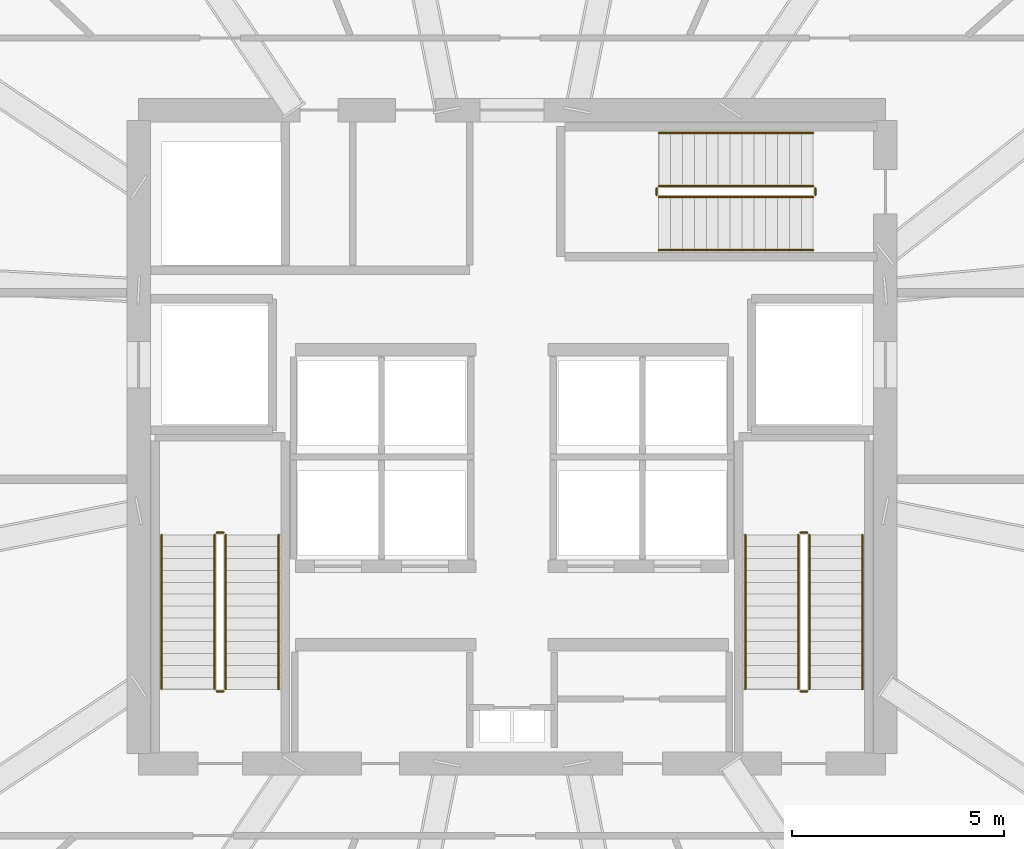
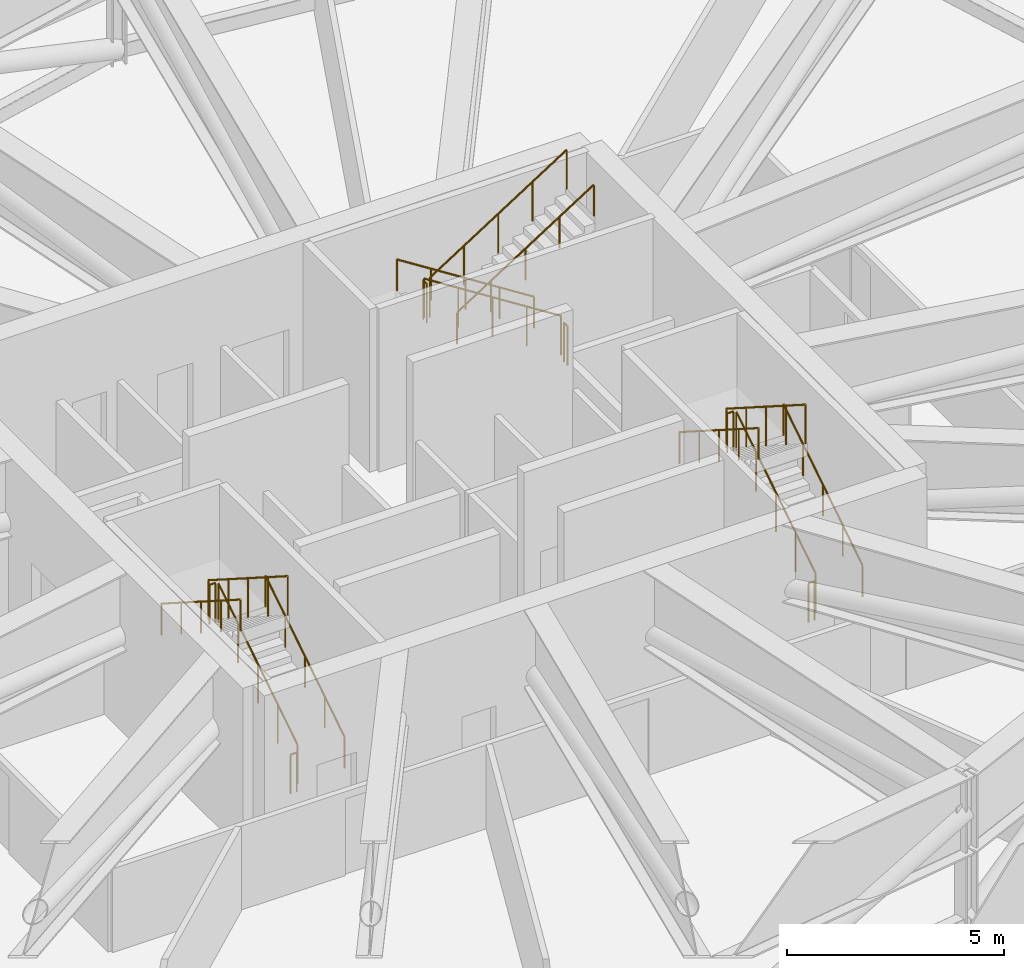
# One storey, part 30 of 30: 18 railings.
"""IFC4 building model written with IfcOpenShell, lengths in metres."""

from ifc_helpers import new_model, si_unit, direction, frame, origin, origin_2d, place, context, subcontext, project, spatial, circle, extrude, material, type_object, element, save


model = new_model("IFC4")

# Units and contexts
model_context = context("Model", 3, precision=1e-05, world=origin(), true_north=direction((0.0, 1.0)))
body_context = subcontext(model_context, "Body", "Model", "MODEL_VIEW")
ifc_project = project(units=[si_unit("LENGTHUNIT", "METRE"), si_unit("AREAUNIT", "SQUARE_METRE"), si_unit("VOLUMEUNIT", "CUBIC_METRE"), si_unit("PLANEANGLEUNIT", "RADIAN"), si_unit("MASSUNIT", "GRAM", prefix="KILO"), si_unit("THERMODYNAMICTEMPERATUREUNIT", "KELVIN")], contexts=[model_context])

# Site, building, storey
site_placement = place(None, origin())
site = spatial("IfcSite", under=ifc_project, at=site_placement, CompositionType="ELEMENT")
building_placement = place(site_placement, origin())
building = spatial("IfcBuilding", under=site, at=building_placement, Name="Kethvar Cultural Tower", CompositionType="ELEMENT")
storey_placement = place(building_placement, frame((0.0, 0.0, 171.39990234375)))
storey = spatial("IfcBuildingStorey", under=building, at=storey_placement, Name="L44", CompositionType="ELEMENT", Elevation=171.39990234375)

# Railings
ifc_material = material(Name="Steel S355J2", Category="steel")
railing_type_1 = type_object("IfcRailingType", Name="RL-STAIR-GUARD", PredefinedType="BALUSTRADE", material=ifc_material)
railing_1_placement = place(storey_placement, frame((40.050048828125, 21.85009765625, 0.1787109375)))
element("IfcRailing", 1, at=railing_1_placement, inside=storey, type_object=railing_type_1, Name="L44 ST-01 stair guard 1", PredefinedType="BALUSTRADE", context=body_context, shape_type="SweptSolid", body=[
    extrude(circle(Radius=0.02392578125, at=origin_2d()), frame((0.0, 0.0, 1.09619140625), z_axis=(0.0, 0.843137146238, 0.537698570422), x_axis=(-1.0, 0.0, 0.0)), (0.0, 0.0, 1.0), 4.317138671875),
    extrude(circle(Radius=0.02099609375, at=origin_2d()), origin(), (0.0, 0.0, 1.0), 1.072021484375),
    extrude(circle(Radius=0.02099609375, at=origin_2d()), frame((0.0, 0.909912109375, 0.580322265625)), (0.0, 0.0, 1.0), 1.072021484375),
    extrude(circle(Radius=0.02099609375, at=origin_2d()), frame((0.0, 1.81982421875, 1.16064453125)), (0.0, 0.0, 1.0), 1.072021484375),
    extrude(circle(Radius=0.02099609375, at=origin_2d()), frame((0.0, 2.72998046875, 1.740966796875)), (0.0, 0.0, 1.0), 1.072021484375),
    extrude(circle(Radius=0.02099609375, at=origin_2d()), frame((0.0, 3.639892578125, 2.3212890625)), (0.0, 0.0, 1.0), 1.072021484375),
])
railing_2_placement = place(storey_placement, frame((40.0, 25.5400390625, 2.5)))
element("IfcRailing", 2, at=railing_2_placement, inside=storey, type_object=railing_type_1, Name="L44 ST-01 stair guard 2", PredefinedType="BALUSTRADE", context=body_context, shape_type="SweptSolid", body=[
    extrude(circle(Radius=0.02392578125, at=origin_2d()), frame((0.0, 0.0, 1.09619140625), z_axis=(-1.0, 0.0, 0.0), x_axis=(0.0, -1.0, 0.0)), (0.0, 0.0, 1.0), 0.159912109375),
    extrude(circle(Radius=0.02099609375, at=origin_2d()), origin(), (0.0, 0.0, 1.0), 1.072021484375),
    extrude(circle(Radius=0.02099609375, at=origin_2d()), frame((-0.159912109375, 0.0, 0.0)), (0.0, 0.0, 1.0), 1.072021484375),
])
railing_3_placement = place(storey_placement, frame((39.7900390625, 25.489990234375, 2.6787109375)))
element("IfcRailing", 3, at=railing_3_placement, inside=storey, type_object=railing_type_1, Name="L44 ST-01 stair guard 3", PredefinedType="BALUSTRADE", context=body_context, shape_type="SweptSolid", body=[
    extrude(circle(Radius=0.02392578125, at=origin_2d()), frame((0.0, 0.0, 1.09619140625), z_axis=(0.0, -0.843137146238, 0.537698570422), x_axis=(1.0, 0.0, 0.0)), (0.0, 0.0, 1.0), 4.317138671875),
    extrude(circle(Radius=0.02099609375, at=origin_2d()), origin(), (0.0, 0.0, 1.0), 1.072021484375),
    extrude(circle(Radius=0.02099609375, at=origin_2d()), frame((0.0, -0.909912109375, 0.580322265625)), (0.0, 0.0, 1.0), 1.072021484375),
    extrude(circle(Radius=0.02099609375, at=origin_2d()), frame((0.0, -1.81982421875, 1.16064453125)), (0.0, 0.0, 1.0), 1.072021484375),
    extrude(circle(Radius=0.02099609375, at=origin_2d()), frame((0.0, -2.72998046875, 1.740966796875)), (0.0, 0.0, 1.0), 1.072021484375),
    extrude(circle(Radius=0.02099609375, at=origin_2d()), frame((0.0, -3.639892578125, 2.3212890625)), (0.0, 0.0, 1.0), 1.072021484375),
])
railing_4_placement = place(storey_placement, frame((40.0, 21.800048828125, 0.0)))
element("IfcRailing", 4, at=railing_4_placement, inside=storey, type_object=railing_type_1, Name="L44 ST-01 stair guard 4", PredefinedType="BALUSTRADE", context=body_context, shape_type="SweptSolid", body=[
    extrude(circle(Radius=0.02392578125, at=origin_2d()), frame((0.0, 0.0, 1.09619140625), z_axis=(-1.0, 0.0, 0.0), x_axis=(0.0, -1.0, 0.0)), (0.0, 0.0, 1.0), 0.159912109375),
    extrude(circle(Radius=0.02099609375, at=origin_2d()), origin(), (0.0, 0.0, 1.0), 1.072021484375),
    extrude(circle(Radius=0.02099609375, at=origin_2d()), frame((-0.159912109375, 0.0, 0.0)), (0.0, 0.0, 1.0), 1.072021484375),
])
railing_5_placement = place(storey_placement, frame((53.81005859375, 21.85009765625, 0.1787109375)))
element("IfcRailing", 5, at=railing_5_placement, inside=storey, type_object=railing_type_1, Name="L44 ST-02 stair guard 1", PredefinedType="BALUSTRADE", context=body_context, shape_type="SweptSolid", body=[
    extrude(circle(Radius=0.02392578125, at=origin_2d()), frame((0.0, 0.0, 1.09619140625), z_axis=(0.0, 0.843137146238, 0.537698570422), x_axis=(-1.0, 0.0, 0.0)), (0.0, 0.0, 1.0), 4.317138671875),
    extrude(circle(Radius=0.02099609375, at=origin_2d()), origin(), (0.0, 0.0, 1.0), 1.072021484375),
    extrude(circle(Radius=0.02099609375, at=origin_2d()), frame((0.0, 0.909912109375, 0.580322265625)), (0.0, 0.0, 1.0), 1.072021484375),
    extrude(circle(Radius=0.02099609375, at=origin_2d()), frame((0.0, 1.81982421875, 1.16064453125)), (0.0, 0.0, 1.0), 1.072021484375),
    extrude(circle(Radius=0.02099609375, at=origin_2d()), frame((0.0, 2.72998046875, 1.740966796875)), (0.0, 0.0, 1.0), 1.072021484375),
    extrude(circle(Radius=0.02099609375, at=origin_2d()), frame((0.0, 3.639892578125, 2.3212890625)), (0.0, 0.0, 1.0), 1.072021484375),
])
railing_6_placement = place(storey_placement, frame((53.760009765625, 25.5400390625, 2.5)))
element("IfcRailing", 6, at=railing_6_placement, inside=storey, type_object=railing_type_1, Name="L44 ST-02 stair guard 2", PredefinedType="BALUSTRADE", context=body_context, shape_type="SweptSolid", body=[
    extrude(circle(Radius=0.02392578125, at=origin_2d()), frame((0.0, 0.0, 1.09619140625), z_axis=(-1.0, 0.0, 0.0), x_axis=(0.0, -1.0, 0.0)), (0.0, 0.0, 1.0), 0.159912109375),
    extrude(circle(Radius=0.02099609375, at=origin_2d()), origin(), (0.0, 0.0, 1.0), 1.072021484375),
    extrude(circle(Radius=0.02099609375, at=origin_2d()), frame((-0.159912109375, 0.0, 0.0)), (0.0, 0.0, 1.0), 1.072021484375),
])
railing_7_placement = place(storey_placement, frame((53.550048828125, 25.489990234375, 2.6787109375)))
element("IfcRailing", 7, at=railing_7_placement, inside=storey, type_object=railing_type_1, Name="L44 ST-02 stair guard 3", PredefinedType="BALUSTRADE", context=body_context, shape_type="SweptSolid", body=[
    extrude(circle(Radius=0.02392578125, at=origin_2d()), frame((0.0, 0.0, 1.09619140625), z_axis=(0.0, -0.843137146238, 0.537698570422), x_axis=(1.0, 0.0, 0.0)), (0.0, 0.0, 1.0), 4.317138671875),
    extrude(circle(Radius=0.02099609375, at=origin_2d()), origin(), (0.0, 0.0, 1.0), 1.072021484375),
    extrude(circle(Radius=0.02099609375, at=origin_2d()), frame((0.0, -0.909912109375, 0.580322265625)), (0.0, 0.0, 1.0), 1.072021484375),
    extrude(circle(Radius=0.02099609375, at=origin_2d()), frame((0.0, -1.81982421875, 1.16064453125)), (0.0, 0.0, 1.0), 1.072021484375),
    extrude(circle(Radius=0.02099609375, at=origin_2d()), frame((0.0, -2.72998046875, 1.740966796875)), (0.0, 0.0, 1.0), 1.072021484375),
    extrude(circle(Radius=0.02099609375, at=origin_2d()), frame((0.0, -3.639892578125, 2.3212890625)), (0.0, 0.0, 1.0), 1.072021484375),
])
railing_8_placement = place(storey_placement, frame((53.760009765625, 21.800048828125, 0.0)))
element("IfcRailing", 8, at=railing_8_placement, inside=storey, type_object=railing_type_1, Name="L44 ST-02 stair guard 4", PredefinedType="BALUSTRADE", context=body_context, shape_type="SweptSolid", body=[
    extrude(circle(Radius=0.02392578125, at=origin_2d()), frame((0.0, 0.0, 1.09619140625), z_axis=(-1.0, 0.0, 0.0), x_axis=(0.0, -1.0, 0.0)), (0.0, 0.0, 1.0), 0.159912109375),
    extrude(circle(Radius=0.02099609375, at=origin_2d()), origin(), (0.0, 0.0, 1.0), 1.072021484375),
    extrude(circle(Radius=0.02099609375, at=origin_2d()), frame((-0.159912109375, 0.0, 0.0)), (0.0, 0.0, 1.0), 1.072021484375),
])
railing_9_placement = place(storey_placement, frame((53.89990234375, 33.7099609375, 0.1787109375)))
element("IfcRailing", 9, at=railing_9_placement, inside=storey, type_object=railing_type_1, Name="L44 ST-03 stair guard 1", PredefinedType="BALUSTRADE", context=body_context, shape_type="SweptSolid", body=[
    extrude(circle(Radius=0.02392578125, at=origin_2d()), frame((0.0, 0.0, 1.09619140625), z_axis=(-0.843137146238, 0.0, 0.537698570422), x_axis=(0.0, -1.0, 0.0)), (0.0, 0.0, 1.0), 4.317138671875),
    extrude(circle(Radius=0.02099609375, at=origin_2d()), origin(), (0.0, 0.0, 1.0), 1.072021484375),
    extrude(circle(Radius=0.02099609375, at=origin_2d()), frame((-0.909912109375, 0.0, 0.580322265625)), (0.0, 0.0, 1.0), 1.072021484375),
    extrude(circle(Radius=0.02099609375, at=origin_2d()), frame((-1.81982421875, 0.0, 1.16064453125)), (0.0, 0.0, 1.0), 1.072021484375),
    extrude(circle(Radius=0.02099609375, at=origin_2d()), frame((-2.72998046875, 0.0, 1.740966796875)), (0.0, 0.0, 1.0), 1.072021484375),
    extrude(circle(Radius=0.02099609375, at=origin_2d()), frame((-3.639892578125, 0.0, 2.3212890625)), (0.0, 0.0, 1.0), 1.072021484375),
])
railing_10_placement = place(storey_placement, frame((50.2099609375, 33.659912109375, 2.5)))
element("IfcRailing", 10, at=railing_10_placement, inside=storey, type_object=railing_type_1, Name="L44 ST-03 stair guard 2", PredefinedType="BALUSTRADE", context=body_context, shape_type="SweptSolid", body=[
    extrude(circle(Radius=0.02392578125, at=origin_2d()), frame((0.0, 0.0, 1.09619140625), z_axis=(0.0, -1.0, 0.0), x_axis=(1.0, 0.0, 0.0)), (0.0, 0.0, 1.0), 0.159912109375),
    extrude(circle(Radius=0.02099609375, at=origin_2d()), origin(), (0.0, 0.0, 1.0), 1.072021484375),
    extrude(circle(Radius=0.02099609375, at=origin_2d()), frame((0.0, -0.159912109375, 0.0)), (0.0, 0.0, 1.0), 1.072021484375),
])
railing_11_placement = place(storey_placement, frame((50.260009765625, 33.449951171875, 2.6787109375)))
element("IfcRailing", 11, at=railing_11_placement, inside=storey, type_object=railing_type_1, Name="L44 ST-03 stair guard 3", PredefinedType="BALUSTRADE", context=body_context, shape_type="SweptSolid", body=[
    extrude(circle(Radius=0.02392578125, at=origin_2d()), frame((0.0, 0.0, 1.09619140625), z_axis=(0.843137146238, 0.0, 0.537698570422), x_axis=(0.0, 1.0, 0.0)), (0.0, 0.0, 1.0), 4.317138671875),
    extrude(circle(Radius=0.02099609375, at=origin_2d()), origin(), (0.0, 0.0, 1.0), 1.072021484375),
    extrude(circle(Radius=0.02099609375, at=origin_2d()), frame((0.909912109375, 0.0, 0.580322265625)), (0.0, 0.0, 1.0), 1.072021484375),
    extrude(circle(Radius=0.02099609375, at=origin_2d()), frame((1.81982421875, 0.0, 1.16064453125)), (0.0, 0.0, 1.0), 1.072021484375),
    extrude(circle(Radius=0.02099609375, at=origin_2d()), frame((2.72998046875, 0.0, 1.740966796875)), (0.0, 0.0, 1.0), 1.072021484375),
    extrude(circle(Radius=0.02099609375, at=origin_2d()), frame((3.639892578125, 0.0, 2.3212890625)), (0.0, 0.0, 1.0), 1.072021484375),
])
railing_12_placement = place(storey_placement, frame((53.949951171875, 33.659912109375, 0.0)))
element("IfcRailing", 12, at=railing_12_placement, inside=storey, type_object=railing_type_1, Name="L44 ST-03 stair guard 4", PredefinedType="BALUSTRADE", context=body_context, shape_type="SweptSolid", body=[
    extrude(circle(Radius=0.02392578125, at=origin_2d()), frame((0.0, 0.0, 1.09619140625), z_axis=(0.0, -1.0, 0.0), x_axis=(1.0, 0.0, 0.0)), (0.0, 0.0, 1.0), 0.159912109375),
    extrude(circle(Radius=0.02099609375, at=origin_2d()), origin(), (0.0, 0.0, 1.0), 1.072021484375),
    extrude(circle(Radius=0.02099609375, at=origin_2d()), frame((0.0, -0.159912109375, 0.0)), (0.0, 0.0, 1.0), 1.072021484375),
])
railing_type_2 = type_object("IfcRailingType", Name="RL-STAIR-HANDRAIL", PredefinedType="HANDRAIL", material=ifc_material)
railing_13_placement = place(storey_placement, frame((41.300048828125, 21.85009765625, 0.1787109375)))
element("IfcRailing", 13, at=railing_13_placement, inside=storey, type_object=railing_type_2, Name="L44 ST-01 stair handrail 1", PredefinedType="HANDRAIL", context=body_context, shape_type="SweptSolid", body=[
    extrude(circle(Radius=0.02392578125, at=origin_2d()), frame((0.0, 0.0, 0.8759765625), z_axis=(0.0, 0.843137146238, 0.537698570422), x_axis=(-1.0, 0.0, 0.0)), (0.0, 0.0, 1.0), 4.317138671875),
    extrude(circle(Radius=0.02099609375, at=origin_2d()), origin(), (0.0, 0.0, 1.0), 0.851806640625),
    extrude(circle(Radius=0.02099609375, at=origin_2d()), frame((0.0, 0.909912109375, 0.580322265625)), (0.0, 0.0, 1.0), 0.851806640625),
    extrude(circle(Radius=0.02099609375, at=origin_2d()), frame((0.0, 1.81982421875, 1.16064453125)), (0.0, 0.0, 1.0), 0.851806640625),
    extrude(circle(Radius=0.02099609375, at=origin_2d()), frame((0.0, 2.72998046875, 1.740966796875)), (0.0, 0.0, 1.0), 0.851806640625),
    extrude(circle(Radius=0.02099609375, at=origin_2d()), frame((0.0, 3.639892578125, 2.3212890625)), (0.0, 0.0, 1.0), 0.851806640625),
])
railing_14_placement = place(storey_placement, frame((38.5400390625, 25.489990234375, 2.6787109375)))
element("IfcRailing", 14, at=railing_14_placement, inside=storey, type_object=railing_type_2, Name="L44 ST-01 stair handrail 2", PredefinedType="HANDRAIL", context=body_context, shape_type="SweptSolid", body=[
    extrude(circle(Radius=0.02392578125, at=origin_2d()), frame((0.0, 0.0, 0.8759765625), z_axis=(0.0, -0.843137146238, 0.537698570422), x_axis=(1.0, 0.0, 0.0)), (0.0, 0.0, 1.0), 4.317138671875),
    extrude(circle(Radius=0.02099609375, at=origin_2d()), origin(), (0.0, 0.0, 1.0), 0.851806640625),
    extrude(circle(Radius=0.02099609375, at=origin_2d()), frame((0.0, -0.909912109375, 0.580322265625)), (0.0, 0.0, 1.0), 0.851806640625),
    extrude(circle(Radius=0.02099609375, at=origin_2d()), frame((0.0, -1.81982421875, 1.16064453125)), (0.0, 0.0, 1.0), 0.851806640625),
    extrude(circle(Radius=0.02099609375, at=origin_2d()), frame((0.0, -2.72998046875, 1.740966796875)), (0.0, 0.0, 1.0), 0.851806640625),
    extrude(circle(Radius=0.02099609375, at=origin_2d()), frame((0.0, -3.639892578125, 2.3212890625)), (0.0, 0.0, 1.0), 0.851806640625),
])
railing_15_placement = place(storey_placement, frame((55.06005859375, 21.85009765625, 0.1787109375)))
element("IfcRailing", 15, at=railing_15_placement, inside=storey, type_object=railing_type_2, Name="L44 ST-02 stair handrail 1", PredefinedType="HANDRAIL", context=body_context, shape_type="SweptSolid", body=[
    extrude(circle(Radius=0.02392578125, at=origin_2d()), frame((0.0, 0.0, 0.8759765625), z_axis=(0.0, 0.843137146238, 0.537698570422), x_axis=(-1.0, 0.0, 0.0)), (0.0, 0.0, 1.0), 4.317138671875),
    extrude(circle(Radius=0.02099609375, at=origin_2d()), origin(), (0.0, 0.0, 1.0), 0.851806640625),
    extrude(circle(Radius=0.02099609375, at=origin_2d()), frame((0.0, 0.909912109375, 0.580322265625)), (0.0, 0.0, 1.0), 0.851806640625),
    extrude(circle(Radius=0.02099609375, at=origin_2d()), frame((0.0, 1.81982421875, 1.16064453125)), (0.0, 0.0, 1.0), 0.851806640625),
    extrude(circle(Radius=0.02099609375, at=origin_2d()), frame((0.0, 2.72998046875, 1.740966796875)), (0.0, 0.0, 1.0), 0.851806640625),
    extrude(circle(Radius=0.02099609375, at=origin_2d()), frame((0.0, 3.639892578125, 2.3212890625)), (0.0, 0.0, 1.0), 0.851806640625),
])
railing_16_placement = place(storey_placement, frame((52.300048828125, 25.489990234375, 2.6787109375)))
element("IfcRailing", 16, at=railing_16_placement, inside=storey, type_object=railing_type_2, Name="L44 ST-02 stair handrail 2", PredefinedType="HANDRAIL", context=body_context, shape_type="SweptSolid", body=[
    extrude(circle(Radius=0.02392578125, at=origin_2d()), frame((0.0, 0.0, 0.8759765625), z_axis=(0.0, -0.843137146238, 0.537698570422), x_axis=(1.0, 0.0, 0.0)), (0.0, 0.0, 1.0), 4.317138671875),
    extrude(circle(Radius=0.02099609375, at=origin_2d()), origin(), (0.0, 0.0, 1.0), 0.851806640625),
    extrude(circle(Radius=0.02099609375, at=origin_2d()), frame((0.0, -0.909912109375, 0.580322265625)), (0.0, 0.0, 1.0), 0.851806640625),
    extrude(circle(Radius=0.02099609375, at=origin_2d()), frame((0.0, -1.81982421875, 1.16064453125)), (0.0, 0.0, 1.0), 0.851806640625),
    extrude(circle(Radius=0.02099609375, at=origin_2d()), frame((0.0, -2.72998046875, 1.740966796875)), (0.0, 0.0, 1.0), 0.851806640625),
    extrude(circle(Radius=0.02099609375, at=origin_2d()), frame((0.0, -3.639892578125, 2.3212890625)), (0.0, 0.0, 1.0), 0.851806640625),
])
railing_17_placement = place(storey_placement, frame((53.89990234375, 34.9599609375, 0.1787109375)))
element("IfcRailing", 17, at=railing_17_placement, inside=storey, type_object=railing_type_2, Name="L44 ST-03 stair handrail 1", PredefinedType="HANDRAIL", context=body_context, shape_type="SweptSolid", body=[
    extrude(circle(Radius=0.02392578125, at=origin_2d()), frame((0.0, 0.0, 0.8759765625), z_axis=(-0.843137146238, 0.0, 0.537698570422), x_axis=(0.0, -1.0, 0.0)), (0.0, 0.0, 1.0), 4.317138671875),
    extrude(circle(Radius=0.02099609375, at=origin_2d()), origin(), (0.0, 0.0, 1.0), 0.851806640625),
    extrude(circle(Radius=0.02099609375, at=origin_2d()), frame((-0.909912109375, 0.0, 0.580322265625)), (0.0, 0.0, 1.0), 0.851806640625),
    extrude(circle(Radius=0.02099609375, at=origin_2d()), frame((-1.81982421875, 0.0, 1.16064453125)), (0.0, 0.0, 1.0), 0.851806640625),
    extrude(circle(Radius=0.02099609375, at=origin_2d()), frame((-2.72998046875, 0.0, 1.740966796875)), (0.0, 0.0, 1.0), 0.851806640625),
    extrude(circle(Radius=0.02099609375, at=origin_2d()), frame((-3.639892578125, 0.0, 2.3212890625)), (0.0, 0.0, 1.0), 0.851806640625),
])
railing_18_placement = place(storey_placement, frame((50.260009765625, 32.199951171875, 2.6787109375)))
element("IfcRailing", 18, at=railing_18_placement, inside=storey, type_object=railing_type_2, Name="L44 ST-03 stair handrail 2", PredefinedType="HANDRAIL", context=body_context, shape_type="SweptSolid", body=[
    extrude(circle(Radius=0.02392578125, at=origin_2d()), frame((0.0, 0.0, 0.8759765625), z_axis=(0.843137146238, 0.0, 0.537698570422), x_axis=(0.0, 1.0, 0.0)), (0.0, 0.0, 1.0), 4.317138671875),
    extrude(circle(Radius=0.02099609375, at=origin_2d()), origin(), (0.0, 0.0, 1.0), 0.851806640625),
    extrude(circle(Radius=0.02099609375, at=origin_2d()), frame((0.909912109375, 0.0, 0.580322265625)), (0.0, 0.0, 1.0), 0.851806640625),
    extrude(circle(Radius=0.02099609375, at=origin_2d()), frame((1.81982421875, 0.0, 1.16064453125)), (0.0, 0.0, 1.0), 0.851806640625),
    extrude(circle(Radius=0.02099609375, at=origin_2d()), frame((2.72998046875, 0.0, 1.740966796875)), (0.0, 0.0, 1.0), 0.851806640625),
    extrude(circle(Radius=0.02099609375, at=origin_2d()), frame((3.639892578125, 0.0, 2.3212890625)), (0.0, 0.0, 1.0), 0.851806640625),
])

save(model, "model.ifc")
